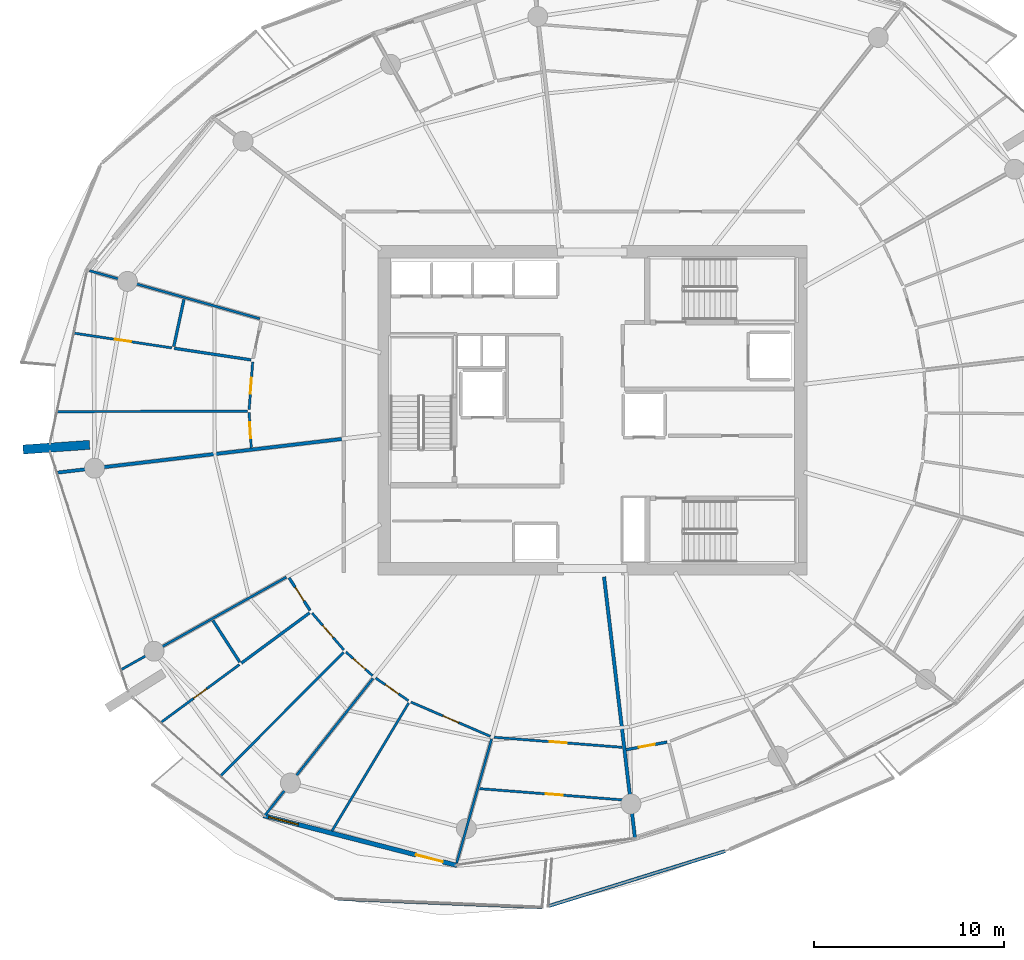
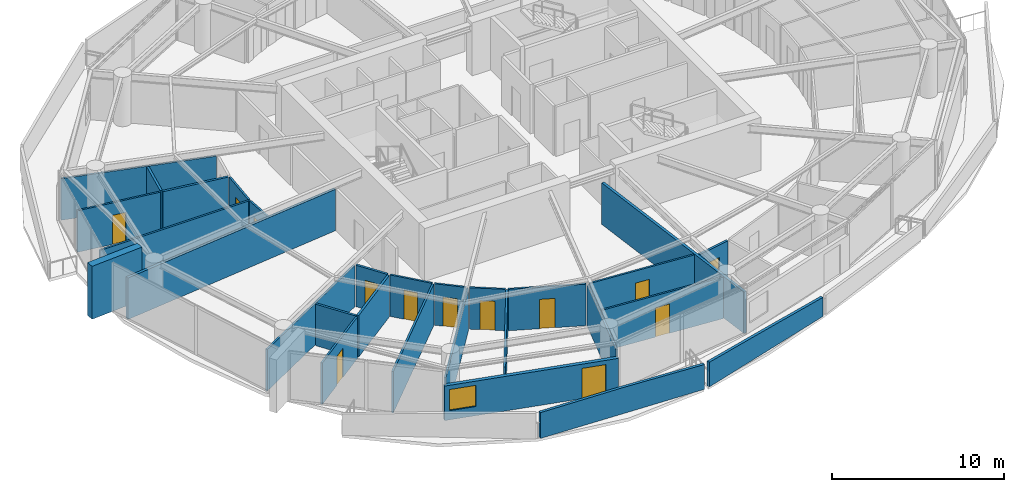
# One storey, part 11 of 20: 29 walls, 13 doors, 1 window, 14 openings.
"""IFC4 building model written with IfcOpenShell, lengths in metres."""

import ifcopenshell
import ifcopenshell.guid

model = None  # the IFC model being written
_history = None  # IfcOwnerHistory: only IFC2X3 demands one
_inside = {}  # id of a spatial element -> (the spatial element, [elements in it])
_under = {}  # id of a project, library or spatial element -> (it, [spatial elements below it])
_declared = {}  # id of a project -> (the project, [libraries it declares])
_typed = {}  # id of a type object -> (the type object, [elements of that type])
_made_of = {}  # id of a material, layer set ... -> (it, [elements and type objects made of it])


def new_model(schema):
    """Start an empty IFC model of exactly this schema.

    Asked for "IFC4X3", IfcOpenShell would pick the latest addendum, in which some entities
    have other attributes; the version numbers below select the first issue.
    IFC2X3 requires an IfcOwnerHistory on every rooted entity: one is made here for all.
    """
    global model, _history
    if schema == "IFC4X3":
        model = ifcopenshell.file(schema_version=(4, 3, 0, 0))
    else:
        model = ifcopenshell.file(schema=schema)
    _inside.clear()
    _under.clear()
    _declared.clear()
    _typed.clear()
    _made_of.clear()
    _history = None
    if model.schema == "IFC2X3":
        org = make("IfcOrganization", Name="unknown")
        user = make(
            "IfcPersonAndOrganization",
            ThePerson=make("IfcPerson", FamilyName="unknown"),
            TheOrganization=org,
        )
        app = make(
            "IfcApplication",
            ApplicationDeveloper=org,
            Version="unknown",
            ApplicationFullName="unknown",
            ApplicationIdentifier="unknown",
        )
        _history = make(
            "IfcOwnerHistory",
            OwningUser=user,
            OwningApplication=app,
            ChangeAction="ADDED",
            CreationDate=0,
        )
    return model


def make(cls, **values):
    """One entity of the class cls with the attributes given. An attribute that is None is left unset."""
    return model.create_entity(
        cls, **{name: value for name, value in values.items() if value is not None}
    )


def rooted(cls, **values):
    """An entity with a GlobalId (a new one), such as an element, a storey or a relation."""
    return make(cls, GlobalId=ifcopenshell.guid.new(), OwnerHistory=_history, **values)


def si_unit(unit_type, name, prefix=None):
    """IfcSIUnit, for example si_unit("LENGTHUNIT", "METRE", prefix="MILLI")."""
    return make("IfcSIUnit", UnitType=unit_type, Prefix=prefix, Name=name)


def assignment(units):
    """IfcUnitAssignment: the units of a project."""
    return None if units is None else make("IfcUnitAssignment", Units=units)


def point(xyz):
    """IfcCartesianPoint."""
    return None if xyz is None else make("IfcCartesianPoint", Coordinates=xyz)


def direction(xyz):
    """IfcDirection."""
    return None if xyz is None else make("IfcDirection", DirectionRatios=xyz)


def frame(location, z_axis=None, x_axis=None):
    """IfcAxis2Placement3D, a coordinate frame: its origin and axes. An axis left out is left unset."""
    return make(
        "IfcAxis2Placement3D",
        Location=point(location),
        Axis=direction(z_axis),
        RefDirection=direction(x_axis),
    )


def frame_2d(location, x_axis=None):
    """IfcAxis2Placement2D, a coordinate frame in the plane: its origin and x axis."""
    return make(
        "IfcAxis2Placement2D", Location=point(location), RefDirection=direction(x_axis)
    )


def origin():
    """The frame at (0, 0, 0) with its axes left unset."""
    return frame((0.0, 0.0, 0.0))


def place(relative_to, where):
    """IfcLocalPlacement: puts the frame where relative to a parent placement (None: the world)."""
    return make(
        "IfcLocalPlacement", PlacementRelTo=relative_to, RelativePlacement=where
    )


def context(
    kind, dimensions, precision=None, world=None, true_north=None, identifier=None
):
    """IfcGeometricRepresentationContext, for example the 3D "Model" context."""
    return make(
        "IfcGeometricRepresentationContext",
        ContextIdentifier=identifier,
        ContextType=kind,
        CoordinateSpaceDimension=dimensions,
        Precision=precision,
        WorldCoordinateSystem=world,
        TrueNorth=true_north,
    )


def subcontext(parent, identifier, kind, view, scale=None):
    """IfcGeometricRepresentationSubContext, for example "Body" below "Model"."""
    return make(
        "IfcGeometricRepresentationSubContext",
        ContextIdentifier=identifier,
        ContextType=kind,
        ParentContext=parent,
        TargetScale=scale,
        TargetView=view,
    )


def project(units=None, contexts=None):
    """IfcProject with its units and contexts."""
    return rooted(
        "IfcProject",
        Name="project",
        RepresentationContexts=contexts,
        UnitsInContext=assignment(units),
    )


def spatial(cls, under=None, at=None, **own):
    """A site, building, storey or space (cls), placed at a placement, below another one or the project."""
    s = rooted(cls, ObjectPlacement=at, **own)
    if under is not None:
        _under.setdefault(under.id(), (under, []))[1].append(s)
    return s


def polyline(points):
    """IfcPolyline through the points."""
    return make("IfcPolyline", Points=[point(p) for p in points])


def profile(cls, at=None, kind="AREA", **sizes):
    """A parametric profile (cls). Its sizes go by their IFC names, for example OverallWidth=200.0."""
    return make(cls, ProfileType=kind, Position=at, **sizes)


def rectangle(**sizes):
    """IfcRectangleProfileDef."""
    return profile("IfcRectangleProfileDef", **sizes)


def outline(outer, holes=None, kind="AREA"):
    """IfcArbitraryClosedProfileDef: a profile drawn as a closed curve; with holes, ...WithVoids."""
    if holes is None:
        return make("IfcArbitraryClosedProfileDef", ProfileType=kind, OuterCurve=outer)
    return make(
        "IfcArbitraryProfileDefWithVoids",
        ProfileType=kind,
        OuterCurve=outer,
        InnerCurves=holes,
    )


def extrude(swept, where, along, depth):
    """IfcExtrudedAreaSolid: the profile swept, set in the frame where, extruded along a direction by depth."""
    return make(
        "IfcExtrudedAreaSolid",
        SweptArea=swept,
        Position=where,
        ExtrudedDirection=direction(along),
        Depth=depth,
    )


def shape(context_of_items, identifier, shape_type, items):
    """IfcShapeRepresentation: the items that make up one representation, for example the "Body"."""
    return make(
        "IfcShapeRepresentation",
        ContextOfItems=context_of_items,
        RepresentationIdentifier=identifier,
        RepresentationType=shape_type,
        Items=items,
    )


def material(Name=None, Category=None):
    """IfcMaterial."""
    return make("IfcMaterial", Name=Name, Category=Category)


def layer(
    of_material, thickness, ventilated=None, Name=None, Category=None, Priority=None
):
    """IfcMaterialLayer: one layer of a wall or slab, of a material (None: an air gap)."""
    return make(
        "IfcMaterialLayer",
        Material=of_material,
        LayerThickness=thickness,
        IsVentilated=ventilated,
        Name=Name,
        Category=Category,
        Priority=Priority,
    )


def layer_set(layers, Name=None):
    """IfcMaterialLayerSet."""
    return make("IfcMaterialLayerSet", MaterialLayers=layers, LayerSetName=Name)


def made_of(thing, what):
    """Note that an element or type object is made of a material, layer set ...; save() writes the relation."""
    if what is not None:
        _made_of.setdefault(what.id(), (what, []))[1].append(thing)
    return thing


def type_object(cls, material=None, **own):
    """A type object (cls), such as IfcWallType, which elements share."""
    return made_of(rooted(cls, **own), material)


def element(
    cls,
    number,
    at=None,
    inside=None,
    cuts=None,
    type_object=None,
    material=None,
    context=None,
    identifier="Body",
    shape_type=None,
    held_by="IfcProductDefinitionShape",
    body=None,
    shapes=None,
    **own,
):
    """One element of the class cls, such as IfcWall. Its Tag is "e" and its number.

    at: its placement. inside: the storey or other place that contains it. cuts: it is an
    opening in that element (IfcRelVoidsElement). A single representation is given by context,
    identifier, shape_type and body (its items); several are given by shapes. held_by: the class
    of the entity that holds the representations. save() writes the other relations.
    """
    e = rooted(cls, Tag="e%d" % number, ObjectPlacement=at, **own)
    if body is not None:
        shapes = [shape(context, identifier, shape_type, body)]
    if shapes is not None:
        e.Representation = make(held_by, Representations=shapes)
    if inside is not None:
        _inside.setdefault(inside.id(), (inside, []))[1].append(e)
    if cuts is not None:
        rooted(
            "IfcRelVoidsElement", RelatingBuildingElement=cuts, RelatedOpeningElement=e
        )
    if type_object is not None:
        _typed.setdefault(type_object.id(), (type_object, []))[1].append(e)
    return made_of(e, material)


def fill(opening, filler):
    """IfcRelFillsElement: the door or window that sits in an opening."""
    return rooted(
        "IfcRelFillsElement",
        RelatingOpeningElement=opening,
        RelatedBuildingElement=filler,
    )


def aggregate(whole, parts):
    """IfcRelAggregates: a whole, such as a stair, and the parts it consists of."""
    return rooted("IfcRelAggregates", RelatingObject=whole, RelatedObjects=parts)


def save(model, path):
    """Write the relations noted so far, then the file.

    IfcRelAggregates (storeys below a building ...), IfcRelContainedInSpatialStructure (elements
    in a storey), IfcRelDefinesByType, IfcRelAssociatesMaterial and IfcRelDeclares: one each for
    every whole, place, type object, material and project.
    """
    for whole, parts in _under.values():
        aggregate(whole, parts)
    for where, things in _inside.values():
        rooted(
            "IfcRelContainedInSpatialStructure",
            RelatedElements=things,
            RelatingStructure=where,
        )
    for kind, things in _typed.values():
        rooted("IfcRelDefinesByType", RelatedObjects=things, RelatingType=kind)
    for what, things in _made_of.values():
        rooted("IfcRelAssociatesMaterial", RelatedObjects=things, RelatingMaterial=what)
    for by, libraries in _declared.values():
        rooted("IfcRelDeclares", RelatingContext=by, RelatedDefinitions=libraries)
    model.write(path)


model = new_model("IFC4")

# Units and contexts
model_context = context("Model", 3, precision=1e-05, world=origin(), true_north=direction((0.0, 1.0)))
body_context = subcontext(model_context, "Body", "Model", "MODEL_VIEW")
ifc_project = project(units=[si_unit("LENGTHUNIT", "METRE"), si_unit("AREAUNIT", "SQUARE_METRE"), si_unit("VOLUMEUNIT", "CUBIC_METRE"), si_unit("PLANEANGLEUNIT", "RADIAN"), si_unit("MASSUNIT", "GRAM", prefix="KILO")], contexts=[model_context])

# Site, building, storey
site_placement = place(None, origin())
site = spatial("IfcSite", under=ifc_project, at=site_placement, CompositionType="ELEMENT")
building_placement = place(site_placement, origin())
building = spatial("IfcBuilding", under=site, at=building_placement, Name="Kazma Halo Residences", CompositionType="ELEMENT")
storey_placement = place(building_placement, frame((0.0, 0.0, 206.550048828125)))
storey = spatial("IfcBuildingStorey", under=building, at=storey_placement, Name="L52", CompositionType="ELEMENT", Elevation=206.550048828125)

# Walls
ifc_material_1 = material(Name="White Concrete C50/60 Balustrade", Category="concrete")
ifc_layer_1 = layer(ifc_material_1, 0.179931640625)
ifc_layer_set_1 = layer_set([ifc_layer_1], Name="White Concrete C50/60 Balustrade")
wall_type_1 = type_object("IfcWallType", Name="WL-BAL-WAVE-180", PredefinedType="PARAPET", material=ifc_layer_set_1)
wall_1_placement = place(storey_placement, frame((35.03564453125, 16.315673828125, 0.0), z_axis=(0.0, 0.0, 1.0), x_axis=(0.999138885182, -0.041490819675, 0.0)))
element("IfcWall", 1, at=wall_1_placement, inside=storey, type_object=wall_type_1, Name="L52 white wave balustrade wall SW.2", PredefinedType="PARAPET", context=body_context, shape_type="SweptSolid", body=[
    extrude(outline(polyline([(0.0, 0.0), (10.75634765625, 0.0), (10.756591796875, 1.755859375), (5.37841796875, 1.85302734375), (0.0, 1.83203125), (0.0, 0.0)])), frame((0.0, 0.08984375, 0.0), z_axis=(0.0, -1.0, 0.0), x_axis=(1.0, 0.0, 0.0)), (0.0, 0.0, 1.0), 0.179931640625),
])
wall_2_placement = place(storey_placement, frame((46.1083984375, 15.928955078125, 0.0), z_axis=(0.0, 0.0, 1.0), x_axis=(0.954909554677, 0.296896854793, 0.0)))
element("IfcWall", 2, at=wall_2_placement, inside=storey, type_object=wall_type_1, Name="L52 white wave balustrade wall SSE.1", PredefinedType="PARAPET", context=body_context, shape_type="SweptSolid", body=[
    extrude(outline(polyline([(0.0, 0.0), (9.736083984375, 0.0), (9.736328125, 1.347900390625), (4.8681640625, 1.56201171875), (0.0, 1.7470703125), (0.0, 0.0)])), frame((0.0, 0.08984375, 0.0), z_axis=(0.0, -1.0, 0.0), x_axis=(1.0, 0.0, 0.0)), (0.0, 0.0, 1.0), 0.179931640625),
])
ifc_material_2 = material(Name="Pale Concrete C60/75", Category="concrete")
ifc_layer_2 = layer(ifc_material_2, 0.47998046875)
ifc_layer_set_2 = layer_set([ifc_layer_2], Name="Pale Concrete C60/75")
wall_type_2 = type_object("IfcWallType", Name="WL-BLADE-480", PredefinedType="SOLIDWALL", material=ifc_layer_set_2)
wall_3_placement = place(storey_placement, frame((21.9873046875, 40.180908203125, 0.0), z_axis=(0.0, 0.0, 1.0), x_axis=(-0.997568676264, -0.069690287244, 0.0)))
element("IfcWall", 3, at=wall_3_placement, inside=storey, type_object=wall_type_2, Name="L52 pale concrete structural blade fin wall BW-02", PredefinedType="SOLIDWALL", context=body_context, shape_type="SweptSolid", body=[
    extrude(rectangle(XDim=3.499755859375, YDim=0.47998046875, at=frame_2d((1.75, 0.0))), origin(), (0.0, 0.0, 1.0), 3.75),
])
ifc_material_3 = material(Name="Acoustic Twin-Stud Gypsum")
ifc_layer_3 = layer(ifc_material_3, 0.179931640625)
ifc_layer_set_3 = layer_set([ifc_layer_3], Name="Acoustic Twin-Stud Gypsum")
wall_type_3 = type_object("IfcWallType", Name="WL-DEM-180", PredefinedType="PARTITIONING", material=ifc_layer_set_3)
wall_4_placement = place(storey_placement, frame((35.24072265625, 40.489990234375, 0.0), z_axis=(0.0, 0.0, 1.0), x_axis=(-0.993066731786, -0.117551972417, 0.0)))
element("IfcWall", 4, at=wall_4_placement, inside=storey, type_object=wall_type_3, Name="L52 apartment demising radial wall 07", PredefinedType="PARTITIONING", context=body_context, shape_type="SweptSolid", body=[
    extrude(rectangle(XDim=15.046875, YDim=0.179931640625, at=frame_2d((7.5234375, 0.0))), origin(), (0.0, 0.0, 1.0), 2.93994140625),
])
wall_5_placement = place(storey_placement, frame((49.03662109375, 33.24072265625, 0.0), z_axis=(0.0, 0.0, 1.0), x_axis=(0.11753742895, -0.993068453228, 0.0)))
element("IfcWall", 5, at=wall_5_placement, inside=storey, type_object=wall_type_3, Name="L52 apartment demising radial wall 11", PredefinedType="PARTITIONING", context=body_context, shape_type="SweptSolid", body=[
    extrude(rectangle(XDim=13.81494140625, YDim=0.179931640625, at=frame_2d((6.907470703125, 0.0))), origin(), (0.0, 0.0, 1.0), 2.93994140625),
])

# Wall, openings, door, window
ifc_material_4 = material(Name="Insulated Pale-Metal Composite Wall")
ifc_layer_4 = layer(ifc_material_4, 0.239990234375)
ifc_layer_set_4 = layer_set([ifc_layer_4], Name="Insulated Pale-Metal Composite Wall")
wall_type_4 = type_object("IfcWallType", Name="WL-EXT-HOST-240", PredefinedType="SOLIDWALL", material=ifc_layer_set_4)
wall_6_placement = place(storey_placement, frame((31.139892578125, 20.68701171875, 0.0), z_axis=(0.0, 0.0, 1.0), x_axis=(0.968374028006, -0.249502989727, 0.0)))
wall_6 = element("IfcWall", 6, at=wall_6_placement, inside=storey, type_object=wall_type_4, Name="L52 exterior terrace-access wall B10", PredefinedType="SOLIDWALL", context=body_context, shape_type="SweptSolid", body=[
    extrude(rectangle(XDim=10.494384765625, YDim=0.239990234375, at=frame_2d((5.2470703125, 0.0))), origin(), (0.0, 0.0, 1.0), 2.449951171875),
])
opening_1_placement = place(wall_6_placement, frame((8.2744140625, 0.0, 0.0)))
opening_1 = element("IfcOpeningElement", 7, at=opening_1_placement, cuts=wall_6, Name="Opening DTR-1600", PredefinedType="OPENING", context=body_context, shape_type="SweptSolid", body=[
    extrude(rectangle(XDim=1.449951171875, YDim=2.14990234375, at=frame_2d((0.72509765625, 1.074951171875))), frame((0.0, 0.1298828125, 0.0), z_axis=(0.0, -1.0, 0.0), x_axis=(1.0, 0.0, 0.0)), (0.0, 0.0, 1.0), 0.260009765625),
])
opening_2_placement = place(wall_6_placement, frame((0.280029296875, 0.0, 0.64990234375)))
opening_2 = element("IfcOpeningElement", 8, at=opening_2_placement, cuts=wall_6, Name="Opening W-1800", PredefinedType="OPENING", context=body_context, shape_type="SweptSolid", body=[
    extrude(rectangle(XDim=1.60009765625, YDim=1.5, at=frame_2d((0.800048828125, 0.75))), frame((0.0, 0.1298828125, 0.0), z_axis=(0.0, -1.0, 0.0), x_axis=(1.0, 0.0, 0.0)), (0.0, 0.0, 1.0), 0.260009765625),
])
ifc_material_5 = material(Name="Aluminium AW-6063 T6 Double-Glazed Terrace Door", Category="aluminium")
door_type_1 = type_object("IfcDoorType", Name="DR-EXT-TERR-1600", OperationType="NOTDEFINED", PredefinedType="DOOR", material=ifc_material_5)
door_1_placement = place(opening_1_placement, origin())
door_1 = element("IfcDoor", 9, at=door_1_placement, inside=storey, type_object=door_type_1, Name="L52 B10 balcony terrace door", OperationType="DOUBLE_DOOR_SLIDING", OverallHeight=2.14990234375, OverallWidth=1.449951171875, PredefinedType="DOOR", context=body_context, shape_type="SweptSolid", body=[
    extrude(rectangle(XDim=1.449951171875, YDim=2.14990234375, at=frame_2d((0.72509765625, 1.074951171875))), frame((0.0, 0.02490234375, 0.0), z_axis=(0.0, -1.0, 0.0), x_axis=(1.0, 0.0, 0.0)), (0.0, 0.0, 1.0), 0.050048828125),
])
fill(opening_1, door_1)
ifc_material_6 = material(Name="Clear Triple-Silver Low-E Glass in Aluminium AW-6063 T6 Frame", Category="aluminium")
window_type = type_object("IfcWindowType", Name="WIN-RES-1800", PartitioningType="DOUBLE_PANEL_VERTICAL", PredefinedType="WINDOW", material=ifc_material_6)
window_placement = place(opening_2_placement, origin())
window = element("IfcWindow", 10, at=window_placement, inside=storey, type_object=window_type, Name="L52 B10 apartment window", OverallHeight=1.5, OverallWidth=1.60009765625, PartitioningType="SINGLE_PANEL", PredefinedType="WINDOW", context=body_context, shape_type="SweptSolid", body=[
    extrude(rectangle(XDim=1.60009765625, YDim=1.5, at=frame_2d((0.800048828125, 0.75))), frame((0.0, 0.030029296875, 0.0), z_axis=(0.0, -1.0, 0.0), x_axis=(1.0, 0.0, 0.0)), (0.0, 0.0, 1.0), 0.06005859375),
])
fill(opening_2, window)

# Wall
ifc_material_7 = material(Name="Gypsum Plasterboard Partition")
ifc_layer_5 = layer(ifc_material_7, 0.125)
ifc_layer_set_5 = layer_set([ifc_layer_5], Name="Gypsum Plasterboard Partition")
wall_type_5 = type_object("IfcWallType", Name="WL-PART-125", PredefinedType="PARTITIONING", material=ifc_layer_set_5)
wall_7_placement = place(storey_placement, frame((30.9375, 46.81201171875, 0.0), z_axis=(0.0, 0.0, 1.0), x_axis=(-0.962450379274, 0.271457671534, 0.0)))
element("IfcWall", 11, at=wall_7_placement, inside=storey, type_object=wall_type_5, Name="L52 Apartment 2 radial partition 6", PredefinedType="PARTITIONING", context=body_context, shape_type="SweptSolid", body=[
    extrude(rectangle(XDim=9.30224609375, YDim=0.125, at=frame_2d((4.651123046875, 0.0))), origin(), (0.0, 0.0, 1.0), 2.93994140625),
])

# Wall, opening, door
wall_8_placement = place(storey_placement, frame((26.308349609375, 45.27880859375, 0.0), z_axis=(0.0, 0.0, 1.0), x_axis=(-0.988774568821, 0.149415032888, 0.0)))
wall_8 = element("IfcWall", 12, at=wall_8_placement, inside=storey, type_object=wall_type_5, Name="L52 Apartment 2 Utility Laundry Room partition wall", PredefinedType="PARTITIONING", context=body_context, shape_type="SweptSolid", body=[
    extrude(rectangle(XDim=5.18798828125, YDim=0.125, at=frame_2d((2.593994140625, 0.0))), origin(), (0.0, 0.0, 1.0), 2.93994140625),
])
opening_3_placement = place(wall_8_placement, frame((2.1689453125, 0.0, 0.0)))
opening_3 = element("IfcOpeningElement", 13, at=opening_3_placement, cuts=wall_8, Name="Opening DB-900", PredefinedType="OPENING", context=body_context, shape_type="SweptSolid", body=[
    extrude(rectangle(XDim=0.85009765625, YDim=2.06005859375, at=frame_2d((0.425048828125, 1.030029296875))), frame((0.0, 0.072509765625, 0.0), z_axis=(0.0, -1.0, 0.0), x_axis=(1.0, 0.0, 0.0)), (0.0, 0.0, 1.0), 0.14501953125),
])
ifc_material_8 = material(Name="Moisture-Sealed Timber Leaf", Category="wood")
door_type_2 = type_object("IfcDoorType", Name="DR-BTH-900", OperationType="NOTDEFINED", PredefinedType="DOOR", material=ifc_material_8)
door_2_placement = place(opening_3_placement, origin())
door_2 = element("IfcDoor", 14, at=door_2_placement, inside=storey, type_object=door_type_2, Name="L52 Apartment 2 Utility Laundry Room door", OperationType="SINGLE_SWING_RIGHT", OverallHeight=2.06005859375, OverallWidth=0.85009765625, PredefinedType="DOOR", context=body_context, shape_type="SweptSolid", body=[
    extrude(rectangle(XDim=0.85009765625, YDim=2.06005859375, at=frame_2d((0.425048828125, 1.030029296875))), frame((0.0, 0.02490234375, 0.0), z_axis=(0.0, -1.0, 0.0), x_axis=(1.0, 0.0, 0.0)), (0.0, 0.0, 1.0), 0.050048828125),
])
fill(opening_3, door_2)

# Wall
wall_9_placement = place(storey_placement, frame((30.281982421875, 41.953125, 0.0), z_axis=(0.0, 0.0, 1.0), x_axis=(-0.999996516225, -0.002639609526, 0.0)))
element("IfcWall", 15, at=wall_9_placement, inside=storey, type_object=wall_type_5, Name="L52 Apartment 2 suite divider 6", PredefinedType="PARTITIONING", context=body_context, shape_type="SweptSolid", body=[
    extrude(rectangle(XDim=9.989013671875, YDim=0.125, at=frame_2d((4.99462890625, 0.0))), origin(), (0.0, 0.0, 1.0), 2.93994140625),
])

# Wall, opening, door
wall_10_placement = place(storey_placement, frame((30.5634765625, 44.544677734375, 0.0), z_axis=(0.0, 0.0, 1.0), x_axis=(-0.073678850495, -0.997282019787, 0.0)))
wall_10 = element("IfcWall", 16, at=wall_10_placement, inside=storey, type_object=wall_type_5, Name="L52 Apartment 2 Gourmet Kitchen hall wall", PredefinedType="PARTITIONING", context=body_context, shape_type="SweptSolid", body=[
    extrude(rectangle(XDim=2.518310546875, YDim=0.125, at=frame_2d((1.25927734375, 0.0))), origin(), (0.0, 0.0, 1.0), 2.93994140625),
])
opening_4_placement = place(wall_10_placement, frame((0.834228515625, 0.0, 0.0)))
opening_4 = element("IfcOpeningElement", 17, at=opening_4_placement, cuts=wall_10, Name="Opening DB-900", PredefinedType="OPENING", context=body_context, shape_type="SweptSolid", body=[
    extrude(rectangle(XDim=0.85009765625, YDim=2.06005859375, at=frame_2d((0.425048828125, 1.030029296875))), frame((0.0, 0.072509765625, 0.0), z_axis=(0.0, -1.0, 0.0), x_axis=(1.0, 0.0, 0.0)), (0.0, 0.0, 1.0), 0.14501953125),
])
door_3_placement = place(opening_4_placement, origin())
door_3 = element("IfcDoor", 18, at=door_3_placement, inside=storey, type_object=door_type_2, Name="L52 Apartment 2 Gourmet Kitchen door", OperationType="SINGLE_SWING_LEFT", OverallHeight=2.06005859375, OverallWidth=0.85009765625, PredefinedType="DOOR", context=body_context, shape_type="SweptSolid", body=[
    extrude(rectangle(XDim=0.85009765625, YDim=2.06005859375, at=frame_2d((0.425048828125, 1.030029296875))), frame((0.0, 0.02490234375, 0.0), z_axis=(0.0, -1.0, 0.0), x_axis=(1.0, 0.0, 0.0)), (0.0, 0.0, 1.0), 0.050048828125),
])
fill(opening_4, door_3)

wall_11_placement = place(storey_placement, frame((30.376953125, 41.873291015625, 0.0), z_axis=(0.0, 0.0, 1.0), x_axis=(0.060215971637, -0.998185371942, 0.0)))
wall_11 = element("IfcWall", 19, at=wall_11_placement, inside=storey, type_object=wall_type_5, Name="L52 Apartment 2 Primary Bedroom hall wall", PredefinedType="PARTITIONING", context=body_context, shape_type="SweptSolid", body=[
    extrude(rectangle(XDim=1.848876953125, YDim=0.125, at=frame_2d((0.92431640625, 0.0))), origin(), (0.0, 0.0, 1.0), 2.93994140625),
])
opening_5_placement = place(wall_11_placement, frame((0.49951171875, 0.0, 0.0)))
opening_5 = element("IfcOpeningElement", 20, at=opening_5_placement, cuts=wall_11, Name="Opening DB-900", PredefinedType="OPENING", context=body_context, shape_type="SweptSolid", body=[
    extrude(rectangle(XDim=0.85009765625, YDim=2.06005859375, at=frame_2d((0.425048828125, 1.030029296875))), frame((0.0, 0.072509765625, 0.0), z_axis=(0.0, -1.0, 0.0), x_axis=(1.0, 0.0, 0.0)), (0.0, 0.0, 1.0), 0.14501953125),
])
door_4_placement = place(opening_5_placement, origin())
door_4 = element("IfcDoor", 21, at=door_4_placement, inside=storey, type_object=door_type_2, Name="L52 Apartment 2 Primary Bedroom door", OperationType="SINGLE_SWING_RIGHT", OverallHeight=2.06005859375, OverallWidth=0.85009765625, PredefinedType="DOOR", context=body_context, shape_type="SweptSolid", body=[
    extrude(rectangle(XDim=0.85009765625, YDim=2.06005859375, at=frame_2d((0.425048828125, 1.030029296875))), frame((0.0, 0.02490234375, 0.0), z_axis=(0.0, -1.0, 0.0), x_axis=(1.0, 0.0, 0.0)), (0.0, 0.0, 1.0), 0.050048828125),
])
fill(opening_5, door_4)

# Wall
wall_12_placement = place(storey_placement, frame((32.33447265625, 33.226806640625, 0.0), z_axis=(0.0, 0.0, 1.0), x_axis=(-0.872500152392, -0.488613839424, 0.0)))
element("IfcWall", 22, at=wall_12_placement, inside=storey, type_object=wall_type_5, Name="L52 Apartment 3 radial partition 8", PredefinedType="PARTITIONING", context=body_context, shape_type="SweptSolid", body=[
    extrude(rectangle(XDim=9.940185546875, YDim=0.125, at=frame_2d((4.97021484375, 0.0))), origin(), (0.0, 0.0, 1.0), 2.93994140625),
])

# Wall, opening, door
wall_13_placement = place(storey_placement, frame((29.86279296875, 28.625732421875, 0.0), z_axis=(0.0, 0.0, 1.0), x_axis=(-0.804842237675, -0.593488814094, 0.0)))
wall_13 = element("IfcWall", 23, at=wall_13_placement, inside=storey, type_object=wall_type_5, Name="L52 Apartment 3 Household Store Room partition wall", PredefinedType="PARTITIONING", context=body_context, shape_type="SweptSolid", body=[
    extrude(rectangle(XDim=5.114990234375, YDim=0.125, at=frame_2d((2.5576171875, 0.0))), origin(), (0.0, 0.0, 1.0), 2.93994140625),
])
opening_6_placement = place(wall_13_placement, frame((2.132568359375, 0.0, 0.0)))
opening_6 = element("IfcOpeningElement", 24, at=opening_6_placement, cuts=wall_13, Name="Opening DB-900", PredefinedType="OPENING", context=body_context, shape_type="SweptSolid", body=[
    extrude(rectangle(XDim=0.85009765625, YDim=2.06005859375, at=frame_2d((0.425048828125, 1.030029296875))), frame((0.0, 0.072509765625, 0.0), z_axis=(0.0, -1.0, 0.0), x_axis=(1.0, 0.0, 0.0)), (0.0, 0.0, 1.0), 0.14501953125),
])
door_5_placement = place(opening_6_placement, origin())
door_5 = element("IfcDoor", 25, at=door_5_placement, inside=storey, type_object=door_type_2, Name="L52 Apartment 3 Household Store Room door", OperationType="SINGLE_SWING_RIGHT", OverallHeight=2.06005859375, OverallWidth=0.85009765625, PredefinedType="DOOR", context=body_context, shape_type="SweptSolid", body=[
    extrude(rectangle(XDim=0.85009765625, YDim=2.06005859375, at=frame_2d((0.425048828125, 1.030029296875))), frame((0.0, 0.02490234375, 0.0), z_axis=(0.0, -1.0, 0.0), x_axis=(1.0, 0.0, 0.0)), (0.0, 0.0, 1.0), 0.050048828125),
])
fill(opening_6, door_5)

# Wall
wall_14_placement = place(storey_placement, frame((35.344482421875, 29.27734375, 0.0), z_axis=(0.0, 0.0, 1.0), x_axis=(-0.705226489462, -0.708982086206, 0.0)))
element("IfcWall", 26, at=wall_14_placement, inside=storey, type_object=wall_type_5, Name="L52 Apartment 3 suite divider 8", PredefinedType="PARTITIONING", context=body_context, shape_type="SweptSolid", body=[
    extrude(rectangle(XDim=9.166015625, YDim=0.125, at=frame_2d((4.5830078125, 0.0))), origin(), (0.0, 0.0, 1.0), 2.93994140625),
])

# Wall, opening, door
wall_15_placement = place(storey_placement, frame((33.688232421875, 31.335205078125, 0.0), z_axis=(0.0, 0.0, 1.0), x_axis=(0.653119308398, -0.757255022431, 0.0)))
wall_15 = element("IfcWall", 27, at=wall_15_placement, inside=storey, type_object=wall_type_5, Name="L52 Apartment 3 Gourmet Kitchen hall wall", PredefinedType="PARTITIONING", context=body_context, shape_type="SweptSolid", body=[
    extrude(rectangle(XDim=2.55322265625, YDim=0.125, at=frame_2d((1.276611328125, 0.0))), origin(), (0.0, 0.0, 1.0), 2.93994140625),
])
opening_7_placement = place(wall_15_placement, frame((0.8515625, 0.0, 0.0)))
opening_7 = element("IfcOpeningElement", 28, at=opening_7_placement, cuts=wall_15, Name="Opening DB-900", PredefinedType="OPENING", context=body_context, shape_type="SweptSolid", body=[
    extrude(rectangle(XDim=0.85009765625, YDim=2.06005859375, at=frame_2d((0.425048828125, 1.030029296875))), frame((0.0, 0.072509765625, 0.0), z_axis=(0.0, -1.0, 0.0), x_axis=(1.0, 0.0, 0.0)), (0.0, 0.0, 1.0), 0.14501953125),
])
door_6_placement = place(opening_7_placement, origin())
door_6 = element("IfcDoor", 29, at=door_6_placement, inside=storey, type_object=door_type_2, Name="L52 Apartment 3 Gourmet Kitchen door", OperationType="SINGLE_SWING_LEFT", OverallHeight=2.06005859375, OverallWidth=0.85009765625, PredefinedType="DOOR", context=body_context, shape_type="SweptSolid", body=[
    extrude(rectangle(XDim=0.85009765625, YDim=2.06005859375, at=frame_2d((0.425048828125, 1.030029296875))), frame((0.0, 0.02490234375, 0.0), z_axis=(0.0, -1.0, 0.0), x_axis=(1.0, 0.0, 0.0)), (0.0, 0.0, 1.0), 0.050048828125),
])
fill(opening_7, door_6)

wall_16_placement = place(storey_placement, frame((35.468017578125, 29.2880859375, 0.0), z_axis=(0.0, 0.0, 1.0), x_axis=(0.748399816021, -0.663247853656, 0.0)))
wall_16 = element("IfcWall", 30, at=wall_16_placement, inside=storey, type_object=wall_type_5, Name="L52 Apartment 3 Primary Bedroom hall wall", PredefinedType="PARTITIONING", context=body_context, shape_type="SweptSolid", body=[
    extrude(rectangle(XDim=1.875, YDim=0.125, at=frame_2d((0.9375, 0.0))), origin(), (0.0, 0.0, 1.0), 2.93994140625),
])
opening_8_placement = place(wall_16_placement, frame((0.512451171875, 0.0, 0.0)))
opening_8 = element("IfcOpeningElement", 31, at=opening_8_placement, cuts=wall_16, Name="Opening DB-900", PredefinedType="OPENING", context=body_context, shape_type="SweptSolid", body=[
    extrude(rectangle(XDim=0.85009765625, YDim=2.06005859375, at=frame_2d((0.425048828125, 1.030029296875))), frame((0.0, 0.072509765625, 0.0), z_axis=(0.0, -1.0, 0.0), x_axis=(1.0, 0.0, 0.0)), (0.0, 0.0, 1.0), 0.14501953125),
])
door_7_placement = place(opening_8_placement, origin())
door_7 = element("IfcDoor", 32, at=door_7_placement, inside=storey, type_object=door_type_2, Name="L52 Apartment 3 Primary Bedroom door", OperationType="SINGLE_SWING_RIGHT", OverallHeight=2.06005859375, OverallWidth=0.85009765625, PredefinedType="DOOR", context=body_context, shape_type="SweptSolid", body=[
    extrude(rectangle(XDim=0.85009765625, YDim=2.06005859375, at=frame_2d((0.425048828125, 1.030029296875))), frame((0.0, 0.02490234375, 0.0), z_axis=(0.0, -1.0, 0.0), x_axis=(1.0, 0.0, 0.0)), (0.0, 0.0, 1.0), 0.050048828125),
])
fill(opening_8, door_7)

# Walls
wall_17_placement = place(storey_placement, frame((36.88427734375, 27.899658203125, 0.0), z_axis=(0.0, 0.0, 1.0), x_axis=(-0.619094580594, -0.785316433216, 0.0)))
element("IfcWall", 33, at=wall_17_placement, inside=storey, type_object=wall_type_5, Name="L52 Apartment 3 radial partition 9", PredefinedType="PARTITIONING", context=body_context, shape_type="SweptSolid", body=[
    extrude(rectangle(XDim=9.17529296875, YDim=0.125, at=frame_2d((4.587646484375, 0.0))), origin(), (0.0, 0.0, 1.0), 2.93994140625),
])
wall_18_placement = place(storey_placement, frame((38.768310546875, 26.61181640625, 0.0), z_axis=(0.0, 0.0, 1.0), x_axis=(-0.514431677275, -0.857531369348, 0.0)))
element("IfcWall", 34, at=wall_18_placement, inside=storey, type_object=wall_type_5, Name="L52 Apartment 3 mid-bay wall 9", PredefinedType="PARTITIONING", context=body_context, shape_type="SweptSolid", body=[
    extrude(rectangle(XDim=7.844482421875, YDim=0.125, at=frame_2d((3.92236328125, 0.0))), origin(), (0.0, 0.0, 1.0), 2.93994140625),
])

# Wall, opening, door
wall_19_placement = place(storey_placement, frame((37.0283203125, 27.92138671875, 0.0), z_axis=(0.0, 0.0, 1.0), x_axis=(0.823103592367, -0.567891253879, 0.0)))
wall_19 = element("IfcWall", 35, at=wall_19_placement, inside=storey, type_object=wall_type_5, Name="L52 Apartment 3 Primary Private Study hall wall", PredefinedType="PARTITIONING", context=body_context, shape_type="SweptSolid", body=[
    extrude(rectangle(XDim=2.090087890625, YDim=0.125, at=frame_2d((1.044921875, 0.0))), origin(), (0.0, 0.0, 1.0), 2.93994140625),
])
opening_9_placement = place(wall_19_placement, frame((0.6201171875, 0.0, 0.0)))
opening_9 = element("IfcOpeningElement", 36, at=opening_9_placement, cuts=wall_19, Name="Opening DB-900", PredefinedType="OPENING", context=body_context, shape_type="SweptSolid", body=[
    extrude(rectangle(XDim=0.85009765625, YDim=2.06005859375, at=frame_2d((0.425048828125, 1.030029296875))), frame((0.0, 0.072509765625, 0.0), z_axis=(0.0, -1.0, 0.0), x_axis=(1.0, 0.0, 0.0)), (0.0, 0.0, 1.0), 0.14501953125),
])
door_8_placement = place(opening_9_placement, origin())
door_8 = element("IfcDoor", 37, at=door_8_placement, inside=storey, type_object=door_type_2, Name="L52 Apartment 3 Primary Private Study door", OperationType="SINGLE_SWING_RIGHT", OverallHeight=2.06005859375, OverallWidth=0.85009765625, PredefinedType="DOOR", context=body_context, shape_type="SweptSolid", body=[
    extrude(rectangle(XDim=0.85009765625, YDim=2.06005859375, at=frame_2d((0.425048828125, 1.030029296875))), frame((0.0, 0.02490234375, 0.0), z_axis=(0.0, -1.0, 0.0), x_axis=(1.0, 0.0, 0.0)), (0.0, 0.0, 1.0), 0.050048828125),
])
fill(opening_9, door_8)

wall_20_placement = place(storey_placement, frame((38.88818359375, 26.6572265625, 0.0), z_axis=(0.0, 0.0, 1.0), x_axis=(0.918052580004, -0.396458648976, 0.0)))
wall_20 = element("IfcWall", 38, at=wall_20_placement, inside=storey, type_object=wall_type_5, Name="L52 Apartment 3 Secondary Master Bedroom hall wall", PredefinedType="PARTITIONING", context=body_context, shape_type="SweptSolid", body=[
    extrude(rectangle(XDim=4.5458984375, YDim=0.125, at=frame_2d((2.27294921875, 0.0))), origin(), (0.0, 0.0, 1.0), 2.93994140625),
])
opening_10_placement = place(wall_20_placement, frame((1.822998046875, 0.0, 0.0)))
opening_10 = element("IfcOpeningElement", 39, at=opening_10_placement, cuts=wall_20, Name="Opening DI-950", PredefinedType="OPENING", context=body_context, shape_type="SweptSolid", body=[
    extrude(rectangle(XDim=0.89990234375, YDim=2.080078125, at=frame_2d((0.449951171875, 1.0400390625))), frame((0.0, 0.072509765625, 0.0), z_axis=(0.0, -1.0, 0.0), x_axis=(1.0, 0.0, 0.0)), (0.0, 0.0, 1.0), 0.14501953125),
])
ifc_material_9 = material(Name="Timber Veneer Flush Leaf", Category="wood")
door_type_3 = type_object("IfcDoorType", Name="DR-INT-950", OperationType="NOTDEFINED", PredefinedType="DOOR", material=ifc_material_9)
door_9_placement = place(opening_10_placement, origin())
door_9 = element("IfcDoor", 40, at=door_9_placement, inside=storey, type_object=door_type_3, Name="L52 Apartment 3 Secondary Master Bedroom door", OperationType="SINGLE_SWING_LEFT", OverallHeight=2.080078125, OverallWidth=0.89990234375, PredefinedType="DOOR", context=body_context, shape_type="SweptSolid", body=[
    extrude(rectangle(XDim=0.89990234375, YDim=2.080078125, at=frame_2d((0.449951171875, 1.0400390625))), frame((0.0, 0.02490234375, 0.0), z_axis=(0.0, -1.0, 0.0), x_axis=(1.0, 0.0, 0.0)), (0.0, 0.0, 1.0), 0.050048828125),
])
fill(opening_10, door_9)

# Wall
wall_21_placement = place(storey_placement, frame((43.126220703125, 24.71923828125, 0.0), z_axis=(0.0, 0.0, 1.0), x_axis=(-0.271429339147, -0.962458369931, 0.0)))
element("IfcWall", 41, at=wall_21_placement, inside=storey, type_object=wall_type_5, Name="L52 Apartment 3 radial partition 10", PredefinedType="PARTITIONING", context=body_context, shape_type="SweptSolid", body=[
    extrude(rectangle(XDim=6.77197265625, YDim=0.125, at=frame_2d((3.385986328125, 0.0))), origin(), (0.0, 0.0, 1.0), 2.93994140625),
])

# Wall, opening, door
wall_22_placement = place(storey_placement, frame((43.26318359375, 24.806884765625, 0.0), z_axis=(0.0, 0.0, 1.0), x_axis=(0.996914936791, -0.078489545824, 0.0)))
wall_22 = element("IfcWall", 42, at=wall_22_placement, inside=storey, type_object=wall_type_5, Name="L52 Apartment 3 East Study hall wall", PredefinedType="PARTITIONING", context=body_context, shape_type="SweptSolid", body=[
    extrude(rectangle(XDim=6.74658203125, YDim=0.125, at=frame_2d((3.373291015625, 0.0))), origin(), (0.0, 0.0, 1.0), 2.93994140625),
])
opening_11_placement = place(wall_22_placement, frame((2.92333984375, 0.0, 0.0)))
opening_11 = element("IfcOpeningElement", 43, at=opening_11_placement, cuts=wall_22, Name="Opening DI-950", PredefinedType="OPENING", context=body_context, shape_type="SweptSolid", body=[
    extrude(rectangle(XDim=0.89990234375, YDim=2.080078125, at=frame_2d((0.449951171875, 1.0400390625))), frame((0.0, 0.072509765625, 0.0), z_axis=(0.0, -1.0, 0.0), x_axis=(1.0, 0.0, 0.0)), (0.0, 0.0, 1.0), 0.14501953125),
])
door_10_placement = place(opening_11_placement, origin())
door_10 = element("IfcDoor", 44, at=door_10_placement, inside=storey, type_object=door_type_3, Name="L52 Apartment 3 East Study door", OperationType="SINGLE_SWING_LEFT", OverallHeight=2.080078125, OverallWidth=0.89990234375, PredefinedType="DOOR", context=body_context, shape_type="SweptSolid", body=[
    extrude(rectangle(XDim=0.89990234375, YDim=2.080078125, at=frame_2d((0.449951171875, 1.0400390625))), frame((0.0, 0.02490234375, 0.0), z_axis=(0.0, -1.0, 0.0), x_axis=(1.0, 0.0, 0.0)), (0.0, 0.0, 1.0), 0.050048828125),
])
fill(opening_11, door_10)

wall_23_placement = place(storey_placement, frame((42.501220703125, 22.10498046875, 0.0), z_axis=(0.0, 0.0, 1.0), x_axis=(0.996917595152, -0.078455774017, 0.0)))
wall_23 = element("IfcWall", 45, at=wall_23_placement, inside=storey, type_object=wall_type_5, Name="L52 Apartment 3 West Bedroom divider wall", PredefinedType="PARTITIONING", context=body_context, shape_type="SweptSolid", body=[
    extrude(rectangle(XDim=7.841796875, YDim=0.125, at=frame_2d((3.9208984375, 0.0))), origin(), (0.0, 0.0, 1.0), 2.93994140625),
])
opening_12_placement = place(wall_23_placement, frame((3.470947265625, 0.0, 0.0)))
opening_12 = element("IfcOpeningElement", 46, at=opening_12_placement, cuts=wall_23, Name="Opening DI-950", PredefinedType="OPENING", context=body_context, shape_type="SweptSolid", body=[
    extrude(rectangle(XDim=0.89990234375, YDim=2.080078125, at=frame_2d((0.449951171875, 1.0400390625))), frame((0.0, 0.072509765625, 0.0), z_axis=(0.0, -1.0, 0.0), x_axis=(1.0, 0.0, 0.0)), (0.0, 0.0, 1.0), 0.14501953125),
])
door_11_placement = place(opening_12_placement, origin())
door_11 = element("IfcDoor", 47, at=door_11_placement, inside=storey, type_object=door_type_3, Name="L52 Apartment 3 West Bedroom door", OperationType="SINGLE_SWING_RIGHT", OverallHeight=2.080078125, OverallWidth=0.89990234375, PredefinedType="DOOR", context=body_context, shape_type="SweptSolid", body=[
    extrude(rectangle(XDim=0.89990234375, YDim=2.080078125, at=frame_2d((0.449951171875, 1.0400390625))), frame((0.0, 0.02490234375, 0.0), z_axis=(0.0, -1.0, 0.0), x_axis=(1.0, 0.0, 0.0)), (0.0, 0.0, 1.0), 0.050048828125),
])
fill(opening_12, door_11)

# Walls
ifc_material_10 = material(Name="Moisture-Resistant Gypsum")
ifc_layer_6 = layer(ifc_material_10, 0.14990234375)
ifc_layer_set_6 = layer_set([ifc_layer_6], Name="Moisture-Resistant Gypsum")
wall_type_6 = type_object("IfcWallType", Name="WL-WET-150", PredefinedType="PARTITIONING", material=ifc_layer_set_6)
wall_24_placement = place(storey_placement, frame((26.951171875, 47.83251953125, 0.0), z_axis=(0.0, 0.0, 1.0), x_axis=(-0.210810818757, -0.977526878758, 0.0)))
element("IfcWall", 48, at=wall_24_placement, inside=storey, type_object=wall_type_6, Name="L52 Apartment 2 Guest Bathroom back wall", PredefinedType="PARTITIONING", context=body_context, shape_type="SweptSolid", body=[
    extrude(rectangle(XDim=2.5361328125, YDim=0.14990234375, at=frame_2d((1.26806640625, 0.0))), origin(), (0.0, 0.0, 1.0), 2.93994140625),
])
wall_25_placement = place(storey_placement, frame((30.48095703125, 44.64794921875, 0.0), z_axis=(0.0, 0.0, 1.0), x_axis=(-0.988765818212, 0.149472929776, 0.0)))
element("IfcWall", 49, at=wall_25_placement, inside=storey, type_object=wall_type_6, Name="L52 Apartment 2 Guest Bathroom side wall", PredefinedType="PARTITIONING", context=body_context, shape_type="SweptSolid", body=[
    extrude(rectangle(XDim=4.08984375, YDim=0.14990234375, at=frame_2d((2.044921875, 0.0))), origin(), (0.0, 0.0, 1.0), 2.93994140625),
])

# Wall, opening, door
wall_26_placement = place(storey_placement, frame((32.475830078125, 33.191650390625, 0.0), z_axis=(0.0, 0.0, 1.0), x_axis=(0.542143239932, -0.840286086637, 0.0)))
wall_26 = element("IfcWall", 50, at=wall_26_placement, inside=storey, type_object=wall_type_6, Name="L52 Apartment 3 Guest Bathroom hall wall", PredefinedType="PARTITIONING", context=body_context, shape_type="SweptSolid", body=[
    extrude(rectangle(XDim=2.0380859375, YDim=0.14990234375, at=frame_2d((1.01904296875, 0.0))), origin(), (0.0, 0.0, 1.0), 2.93994140625),
])
opening_13_placement = place(wall_26_placement, frame((0.593994140625, 0.0, 0.0)))
opening_13 = element("IfcOpeningElement", 51, at=opening_13_placement, cuts=wall_26, Name="Opening DB-900", PredefinedType="OPENING", context=body_context, shape_type="SweptSolid", body=[
    extrude(rectangle(XDim=0.85009765625, YDim=2.06005859375, at=frame_2d((0.425048828125, 1.030029296875))), frame((0.0, 0.0849609375, 0.0), z_axis=(0.0, -1.0, 0.0), x_axis=(1.0, 0.0, 0.0)), (0.0, 0.0, 1.0), 0.169921875),
])
door_12_placement = place(opening_13_placement, origin())
door_12 = element("IfcDoor", 52, at=door_12_placement, inside=storey, type_object=door_type_2, Name="L52 Apartment 3 Guest Bathroom door", OperationType="SINGLE_SWING_LEFT", OverallHeight=2.06005859375, OverallWidth=0.85009765625, PredefinedType="DOOR", context=body_context, shape_type="SweptSolid", body=[
    extrude(rectangle(XDim=0.85009765625, YDim=2.06005859375, at=frame_2d((0.425048828125, 1.030029296875))), frame((0.0, 0.02490234375, 0.0), z_axis=(0.0, -1.0, 0.0), x_axis=(1.0, 0.0, 0.0)), (0.0, 0.0, 1.0), 0.050048828125),
])
fill(opening_13, door_12)

# Walls
wall_27_placement = place(storey_placement, frame((28.470947265625, 30.948974609375, 0.0), z_axis=(0.0, 0.0, 1.0), x_axis=(0.542080018781, -0.840326872853, 0.0)))
element("IfcWall", 53, at=wall_27_placement, inside=storey, type_object=wall_type_6, Name="L52 Apartment 3 Guest Bathroom back wall", PredefinedType="PARTITIONING", context=body_context, shape_type="SweptSolid", body=[
    extrude(rectangle(XDim=2.611328125, YDim=0.14990234375, at=frame_2d((1.3056640625, 0.0))), origin(), (0.0, 0.0, 1.0), 2.93994140625),
])
wall_28_placement = place(storey_placement, frame((33.55712890625, 31.349853515625, 0.0), z_axis=(0.0, 0.0, 1.0), x_axis=(-0.804841149106, -0.593490290322, 0.0)))
element("IfcWall", 54, at=wall_28_placement, inside=storey, type_object=wall_type_6, Name="L52 Apartment 3 Guest Bathroom side wall", PredefinedType="PARTITIONING", context=body_context, shape_type="SweptSolid", body=[
    extrude(rectangle(XDim=4.4599609375, YDim=0.14990234375, at=frame_2d((2.22998046875, 0.0))), origin(), (0.0, 0.0, 1.0), 2.93994140625),
])

# Wall, opening, door
wall_29_placement = place(storey_placement, frame((50.21240234375, 24.156005859375, 0.0), z_axis=(0.0, 0.0, 1.0), x_axis=(0.983198523617, 0.182539483832, 0.0)))
wall_29 = element("IfcWall", 55, at=wall_29_placement, inside=storey, type_object=wall_type_6, Name="L52 Apartment 4 Guest Bathroom hall wall", PredefinedType="PARTITIONING", context=body_context, shape_type="SweptSolid", body=[
    extrude(rectangle(XDim=2.1748046875, YDim=0.14990234375, at=frame_2d((1.08740234375, 0.0))), origin(), (0.0, 0.0, 1.0), 2.93994140625),
])
opening_14_placement = place(wall_29_placement, frame((0.662353515625, 0.0, 0.0)))
opening_14 = element("IfcOpeningElement", 56, at=opening_14_placement, cuts=wall_29, Name="Opening DB-900", PredefinedType="OPENING", context=body_context, shape_type="SweptSolid", body=[
    extrude(rectangle(XDim=0.85009765625, YDim=2.06005859375, at=frame_2d((0.425048828125, 1.030029296875))), frame((0.0, 0.0849609375, 0.0), z_axis=(0.0, -1.0, 0.0), x_axis=(1.0, 0.0, 0.0)), (0.0, 0.0, 1.0), 0.169921875),
])
door_13_placement = place(opening_14_placement, origin())
door_13 = element("IfcDoor", 57, at=door_13_placement, inside=storey, type_object=door_type_2, Name="L52 Apartment 4 Guest Bathroom door", OperationType="SINGLE_SWING_RIGHT", OverallHeight=2.06005859375, OverallWidth=0.85009765625, PredefinedType="DOOR", context=body_context, shape_type="SweptSolid", body=[
    extrude(rectangle(XDim=0.85009765625, YDim=2.06005859375, at=frame_2d((0.425048828125, 1.030029296875))), frame((0.0, 0.02490234375, 0.0), z_axis=(0.0, -1.0, 0.0), x_axis=(1.0, 0.0, 0.0)), (0.0, 0.0, 1.0), 0.050048828125),
])
fill(opening_14, door_13)

save(model, "model.ifc")
